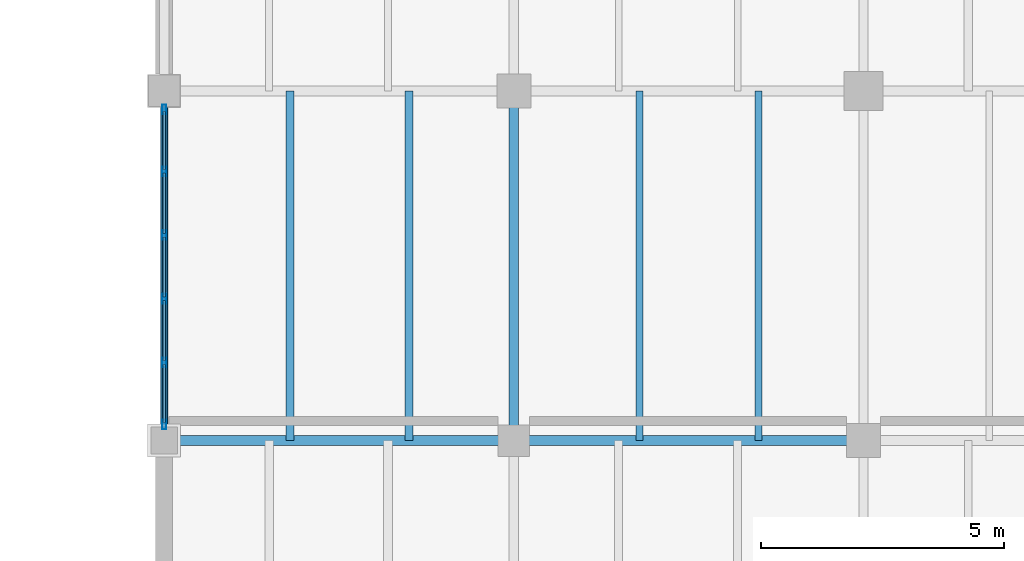
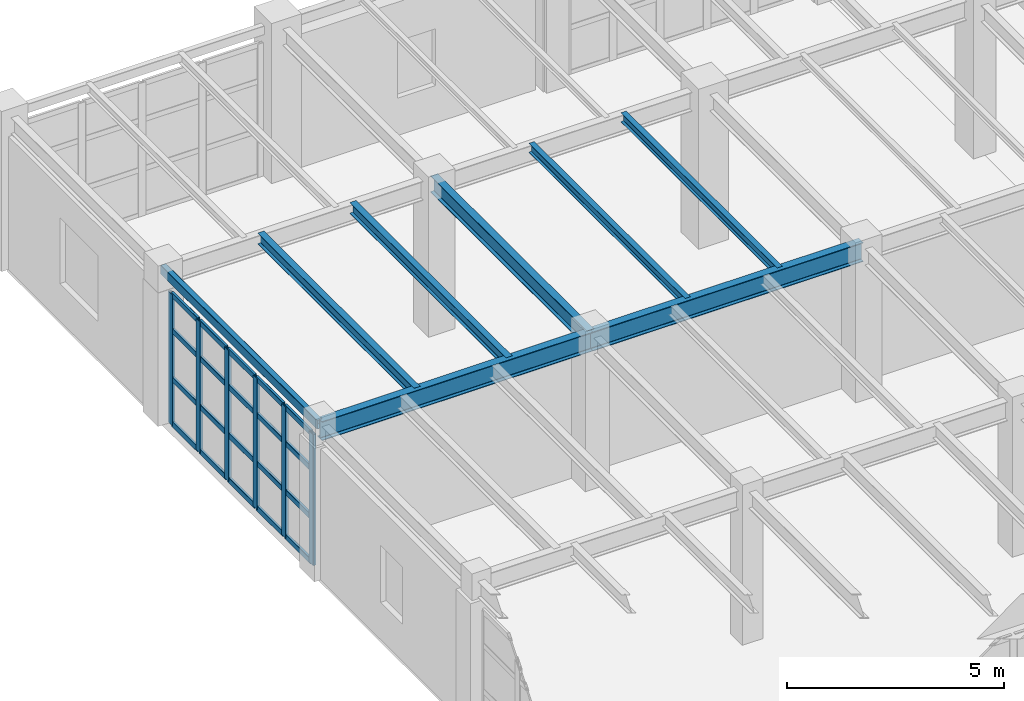
# One storey, part 66 of 137: 26 members, 8 beams, 1 element without a shape of its own.
"""IFC4 building model written with IfcOpenShell, lengths in metres."""

from ifc_helpers import new_model, si_unit, direction, frame, origin, origin_2d, place, context, subcontext, project, spatial, hollow_rectangle, i_section, extrude, material, layer, layer_set, material_profile, profile_set, type_object, element, aggregate, save


model = new_model("IFC4")

# Units and contexts
model_context = context("Model", 3, precision=1e-05, world=origin(), true_north=direction((0.0, 1.0)))
body_context = subcontext(model_context, "Body", "Model", "MODEL_VIEW")
ifc_project = project(units=[si_unit("LENGTHUNIT", "METRE"), si_unit("AREAUNIT", "SQUARE_METRE"), si_unit("VOLUMEUNIT", "CUBIC_METRE"), si_unit("PLANEANGLEUNIT", "RADIAN"), si_unit("MASSUNIT", "GRAM", prefix="KILO")], contexts=[model_context])

# Site, building, storey
site_placement = place(None, origin())
site = spatial("IfcSite", under=ifc_project, at=site_placement, CompositionType="ELEMENT")
building_placement = place(site_placement, origin())
building = spatial("IfcBuilding", under=site, at=building_placement, Name="Kemerveld Promenade Tramway Depot", CompositionType="ELEMENT")
storey_placement = place(building_placement, frame((0.0, 0.0, 5.39990234375)))
storey = spatial("IfcBuildingStorey", under=building, at=storey_placement, Name="L01", CompositionType="ELEMENT", Elevation=5.39990234375)

# Beams
ifc_material_1 = material(Name="Steel S355", Category="steel")
ifc_material_profile_1 = material_profile(ifc_material_1, i_section(OverallWidth=0.2099609375, OverallDepth=0.53662109375, WebThickness=0.0107421875, FlangeThickness=0.017333984375, FilletRadius=0.0126953125, at=origin_2d()), Name="533x210x101 UB")
ifc_profile_set_1 = profile_set([ifc_material_profile_1], Name="Steel S355")
beam_type_1 = type_object("IfcBeamType", Name="BM-G05", PredefinedType="BEAM", material=ifc_profile_set_1)
beam_1_placement = place(storey_placement, frame((115.199951171875, 64.800048828125, 3.9716796875), z_axis=(1.0, 0.0, 0.0), x_axis=(0.0, 1.0, 0.0)))
element("IfcBeam", 1, at=beam_1_placement, inside=storey, type_object=beam_type_1, Name="BMX-L01-17-18-K", PredefinedType="BEAM", context=body_context, shape_type="SweptSolid", body=[
    extrude(i_section(OverallWidth=0.2099609375, OverallDepth=0.53662109375, WebThickness=0.0107421875, FlangeThickness=0.017333984375, FilletRadius=0.0126953125, at=origin_2d()), origin(), (0.0, 0.0, 1.0), 7.199951171875),
])
beam_2_placement = place(storey_placement, frame((122.39990234375, 64.800048828125, 3.9716796875), z_axis=(1.0, 0.0, 0.0), x_axis=(0.0, 1.0, 0.0)))
element("IfcBeam", 2, at=beam_2_placement, inside=storey, type_object=beam_type_1, Name="BMX-L01-18-19-K", PredefinedType="BEAM", context=body_context, shape_type="SweptSolid", body=[
    extrude(i_section(OverallWidth=0.2099609375, OverallDepth=0.53662109375, WebThickness=0.0107421875, FlangeThickness=0.017333984375, FilletRadius=0.0126953125, at=origin_2d()), origin(), (0.0, 0.0, 1.0), 7.2001953125),
])
ifc_material_profile_2 = material_profile(ifc_material_1, i_section(OverallWidth=0.19140625, OverallDepth=0.4599609375, WebThickness=0.010009765625, FlangeThickness=0.01611328125, FilletRadius=0.01025390625, at=origin_2d()), Name="457x191x82 UB")
ifc_profile_set_2 = profile_set([ifc_material_profile_2], Name="Steel S355")
beam_type_2 = type_object("IfcBeamType", Name="BM-G06", PredefinedType="BEAM", material=ifc_profile_set_2)
beam_3_placement = place(storey_placement, frame((122.39990234375, 64.800048828125, 4.010009765625), z_axis=(0.0, 1.0, 0.0), x_axis=(-1.0, 0.0, 0.0)))
element("IfcBeam", 3, at=beam_3_placement, inside=storey, type_object=beam_type_2, Name="BMY-L01-18-K-L", PredefinedType="BEAM", context=body_context, shape_type="SweptSolid", body=[
    extrude(i_section(OverallWidth=0.19140625, OverallDepth=0.4599609375, WebThickness=0.010009765625, FlangeThickness=0.01611328125, FilletRadius=0.01025390625, at=origin_2d()), origin(), (0.0, 0.0, 1.0), 7.199951171875),
])
ifc_material_profile_3 = material_profile(ifc_material_1, i_section(OverallWidth=0.165771484375, OverallDepth=0.306640625, WebThickness=0.006591796875, FlangeThickness=0.01171875, FilletRadius=0.0087890625, at=origin_2d()), Name="305x165x46 UB")
ifc_profile_set_3 = profile_set([ifc_material_profile_3], Name="Steel S355")
beam_type_3 = type_object("IfcBeamType", Name="BM-J01", PredefinedType="JOIST", material=ifc_profile_set_3)
for number, where, z_axis, x_axis, name in (
    (4, (117.7919921875, 64.800048828125, 4.0869140625), (0.0, 1.0, 0.0), (-1.0, 0.0, 0.0), "JST-L01-17-K-1"),
    (5, (120.239990234375, 64.800048828125, 4.0869140625), (0.0, 1.0, 0.0), (-1.0, 0.0, 0.0), "JST-L01-17-K-2"),
):
    element("IfcBeam", number, at=place(storey_placement, frame(where, z_axis=z_axis, x_axis=x_axis)), inside=storey, type_object=beam_type_3, Name=name, PredefinedType="JOIST", context=body_context, shape_type="SweptSolid", body=[
        extrude(i_section(OverallWidth=0.165771484375, OverallDepth=0.306640625, WebThickness=0.006591796875, FlangeThickness=0.01171875, FilletRadius=0.0087890625, at=origin_2d()), origin(), (0.0, 0.0, 1.0), 7.199951171875),
    ])
ifc_material_profile_4 = material_profile(ifc_material_1, i_section(OverallWidth=0.146484375, OverallDepth=0.256103515625, WebThickness=0.00634765625, FlangeThickness=0.010986328125, FilletRadius=0.007568359375, at=origin_2d()), Name="254x146x37 UB")
ifc_profile_set_4 = profile_set([ifc_material_profile_4], Name="Steel S355")
beam_type_4 = type_object("IfcBeamType", Name="BM-J02", PredefinedType="JOIST", material=ifc_profile_set_4)
for number, where, z_axis, x_axis, name in (
    (6, (124.991943359375, 64.800048828125, 4.112060546875), (0.0, 1.0, 0.0), (-1.0, 0.0, 0.0), "JST-L01-18-K-1"),
    (7, (127.43994140625, 64.800048828125, 4.112060546875), (0.0, 1.0, 0.0), (-1.0, 0.0, 0.0), "JST-L01-18-K-2"),
):
    element("IfcBeam", number, at=place(storey_placement, frame(where, z_axis=z_axis, x_axis=x_axis)), inside=storey, type_object=beam_type_4, Name=name, PredefinedType="JOIST", context=body_context, shape_type="SweptSolid", body=[
        extrude(i_section(OverallWidth=0.146484375, OverallDepth=0.256103515625, WebThickness=0.00634765625, FlangeThickness=0.010986328125, FilletRadius=0.007568359375, at=origin_2d()), origin(), (0.0, 0.0, 1.0), 7.199951171875),
    ])
ifc_material_profile_5 = material_profile(ifc_material_1, hollow_rectangle(XDim=0.14990234375, YDim=0.25, WallThickness=0.010009765625, InnerFilletRadius=0.0048828125, OuterFilletRadius=0.014892578125, at=origin_2d()), Name="250x150x10.0 RHS")
ifc_profile_set_5 = profile_set([ifc_material_profile_5], Name="Steel S355")
beam_type_5 = type_object("IfcBeamType", Name="BM-SP2", PredefinedType="SPANDREL", material=ifc_profile_set_5)
beam_4_placement = place(storey_placement, frame((115.199951171875, 64.800048828125, 4.114990234375), z_axis=(0.0, 1.0, 0.0), x_axis=(-1.0, 0.0, 0.0)))
element("IfcBeam", 8, at=beam_4_placement, inside=storey, type_object=beam_type_5, Name="BMY-L01-17-K-L", PredefinedType="SPANDREL", context=body_context, shape_type="SweptSolid", body=[
    extrude(hollow_rectangle(XDim=0.14990234375, YDim=0.25, WallThickness=0.010009765625, InnerFilletRadius=0.0048828125, OuterFilletRadius=0.014892578125, at=origin_2d()), origin(), (0.0, 0.0, 1.0), 7.199951171875),
])

# Curtain wall, members
ifc_material_2 = material(Name="Bronze anodised aluminium and solar glass", Category="aluminium")
ifc_layer = layer(ifc_material_2, 0.199951171875)
ifc_layer_set = layer_set([ifc_layer], Name="CW-SYS-06")
curtain_wall_type = type_object("IfcCurtainWallType", Name="CW-SYS-06", PredefinedType="USERDEFINED", material=ifc_layer_set)
curtain_wall_placement = place(storey_placement, origin())
curtain_wall = element("IfcCurtainWall", 9, at=curtain_wall_placement, inside=storey, type_object=curtain_wall_type, Name="CW-L01-V3W-03", ObjectType="GLAZED_CURTAIN_WALL", PredefinedType="USERDEFINED")
ifc_material_3 = material(Name="Bronze anodised aluminium", Category="aluminium")
ifc_material_profile_6 = material_profile(ifc_material_3, hollow_rectangle(XDim=0.074951171875, YDim=0.199951171875, WallThickness=0.0048828125, InnerFilletRadius=0.001953125, OuterFilletRadius=0.0048828125, at=origin_2d()), Name="CW-MUL-200x75")
ifc_profile_set_6 = profile_set([ifc_material_profile_6], Name="Bronze anodised aluminium")
member_type_1 = type_object("IfcMemberType", Name="CW-MUL-B", PredefinedType="MULLION", material=ifc_profile_set_6)
member_1_placement = place(storey_placement, frame((115.199951171875, 65.132568359375, 0.0), z_axis=(0.0, 0.0, 1.0), x_axis=(-1.0, 0.0, 0.0)))
member_1 = element("IfcMember", 10, at=member_1_placement, type_object=member_type_1, Name="CW06 mullion 1", PredefinedType="MULLION", context=body_context, shape_type="SweptSolid", body=[
    extrude(hollow_rectangle(XDim=0.074951171875, YDim=0.199951171875, WallThickness=0.0048828125, InnerFilletRadius=0.001953125, OuterFilletRadius=0.0048828125, at=origin_2d()), origin(), (0.0, 0.0, 1.0), 3.68359375),
])
member_2_placement = place(storey_placement, frame((115.199951171875, 66.406982421875, 0.0), z_axis=(0.0, 0.0, 1.0), x_axis=(-1.0, 0.0, 0.0)))
member_2 = element("IfcMember", 11, at=member_2_placement, type_object=member_type_1, Name="CW06 mullion 2", PredefinedType="MULLION", context=body_context, shape_type="SweptSolid", body=[
    extrude(hollow_rectangle(XDim=0.074951171875, YDim=0.199951171875, WallThickness=0.0048828125, InnerFilletRadius=0.001953125, OuterFilletRadius=0.0048828125, at=origin_2d()), origin(), (0.0, 0.0, 1.0), 3.68359375),
])
member_3_placement = place(storey_placement, frame((115.199951171875, 67.718994140625, 0.0), z_axis=(0.0, 0.0, 1.0), x_axis=(-1.0, 0.0, 0.0)))
member_3 = element("IfcMember", 12, at=member_3_placement, type_object=member_type_1, Name="CW06 mullion 3", PredefinedType="MULLION", context=body_context, shape_type="SweptSolid", body=[
    extrude(hollow_rectangle(XDim=0.074951171875, YDim=0.199951171875, WallThickness=0.0048828125, InnerFilletRadius=0.001953125, OuterFilletRadius=0.0048828125, at=origin_2d()), origin(), (0.0, 0.0, 1.0), 3.68359375),
])
member_4_placement = place(storey_placement, frame((115.199951171875, 69.031005859375, 0.0), z_axis=(0.0, 0.0, 1.0), x_axis=(-1.0, 0.0, 0.0)))
member_4 = element("IfcMember", 13, at=member_4_placement, type_object=member_type_1, Name="CW06 mullion 4", PredefinedType="MULLION", context=body_context, shape_type="SweptSolid", body=[
    extrude(hollow_rectangle(XDim=0.074951171875, YDim=0.199951171875, WallThickness=0.0048828125, InnerFilletRadius=0.001953125, OuterFilletRadius=0.0048828125, at=origin_2d()), origin(), (0.0, 0.0, 1.0), 3.68359375),
])
member_5_placement = place(storey_placement, frame((115.199951171875, 70.343017578125, 0.0), z_axis=(0.0, 0.0, 1.0), x_axis=(-1.0, 0.0, 0.0)))
member_5 = element("IfcMember", 14, at=member_5_placement, type_object=member_type_1, Name="CW06 mullion 5", PredefinedType="MULLION", context=body_context, shape_type="SweptSolid", body=[
    extrude(hollow_rectangle(XDim=0.074951171875, YDim=0.199951171875, WallThickness=0.0048828125, InnerFilletRadius=0.001953125, OuterFilletRadius=0.0048828125, at=origin_2d()), origin(), (0.0, 0.0, 1.0), 3.68359375),
])
member_6_placement = place(storey_placement, frame((115.199951171875, 71.617431640625, 0.0), z_axis=(0.0, 0.0, 1.0), x_axis=(-1.0, 0.0, 0.0)))
member_6 = element("IfcMember", 15, at=member_6_placement, type_object=member_type_1, Name="CW06 mullion 6", PredefinedType="MULLION", context=body_context, shape_type="SweptSolid", body=[
    extrude(hollow_rectangle(XDim=0.074951171875, YDim=0.199951171875, WallThickness=0.0048828125, InnerFilletRadius=0.001953125, OuterFilletRadius=0.0048828125, at=origin_2d()), origin(), (0.0, 0.0, 1.0), 3.68359375),
])
ifc_material_profile_7 = material_profile(ifc_material_3, hollow_rectangle(XDim=0.06494140625, YDim=0.14990234375, WallThickness=0.00439453125, InnerFilletRadius=0.001953125, OuterFilletRadius=0.00439453125, at=origin_2d()), Name="CW-TRN-150x65")
ifc_profile_set_7 = profile_set([ifc_material_profile_7], Name="Bronze anodised aluminium")
member_type_2 = type_object("IfcMemberType", Name="CW-TRN-B", PredefinedType="USERDEFINED", material=ifc_profile_set_7)
member_7_placement = place(storey_placement, frame((115.199951171875, 65.169921875, 0.03271484375), z_axis=(0.0, 1.0, 0.0), x_axis=(-1.0, 0.0, 0.0)))
member_7 = element("IfcMember", 16, at=member_7_placement, type_object=member_type_2, Name="CW06 transom 1.1", ObjectType="TRANSOM", PredefinedType="USERDEFINED", context=body_context, shape_type="SweptSolid", body=[
    extrude(hollow_rectangle(XDim=0.06494140625, YDim=0.14990234375, WallThickness=0.00439453125, InnerFilletRadius=0.001953125, OuterFilletRadius=0.00439453125, at=origin_2d()), origin(), (0.0, 0.0, 1.0), 1.199462890625),
])
member_8_placement = place(storey_placement, frame((115.199951171875, 65.169921875, 1.2890625), z_axis=(0.0, 1.0, 0.0), x_axis=(-1.0, 0.0, 0.0)))
member_8 = element("IfcMember", 17, at=member_8_placement, type_object=member_type_2, Name="CW06 transom 1.2", ObjectType="TRANSOM", PredefinedType="USERDEFINED", context=body_context, shape_type="SweptSolid", body=[
    extrude(hollow_rectangle(XDim=0.06494140625, YDim=0.14990234375, WallThickness=0.00439453125, InnerFilletRadius=0.001953125, OuterFilletRadius=0.00439453125, at=origin_2d()), origin(), (0.0, 0.0, 1.0), 1.199462890625),
])
member_9_placement = place(storey_placement, frame((115.199951171875, 65.169921875, 2.652099609375), z_axis=(0.0, 1.0, 0.0), x_axis=(-1.0, 0.0, 0.0)))
member_9 = element("IfcMember", 18, at=member_9_placement, type_object=member_type_2, Name="CW06 transom 1.3", ObjectType="TRANSOM", PredefinedType="USERDEFINED", context=body_context, shape_type="SweptSolid", body=[
    extrude(hollow_rectangle(XDim=0.06494140625, YDim=0.14990234375, WallThickness=0.00439453125, InnerFilletRadius=0.001953125, OuterFilletRadius=0.00439453125, at=origin_2d()), origin(), (0.0, 0.0, 1.0), 1.199462890625),
])
member_10_placement = place(storey_placement, frame((115.199951171875, 65.169921875, 3.65087890625), z_axis=(0.0, 1.0, 0.0), x_axis=(-1.0, 0.0, 0.0)))
member_10 = element("IfcMember", 19, at=member_10_placement, type_object=member_type_2, Name="CW06 transom 1.4", ObjectType="TRANSOM", PredefinedType="USERDEFINED", context=body_context, shape_type="SweptSolid", body=[
    extrude(hollow_rectangle(XDim=0.06494140625, YDim=0.14990234375, WallThickness=0.00439453125, InnerFilletRadius=0.001953125, OuterFilletRadius=0.00439453125, at=origin_2d()), origin(), (0.0, 0.0, 1.0), 1.199462890625),
])
member_11_placement = place(storey_placement, frame((115.199951171875, 66.444580078125, 0.03271484375), z_axis=(0.0, 1.0, 0.0), x_axis=(-1.0, 0.0, 0.0)))
member_11 = element("IfcMember", 20, at=member_11_placement, type_object=member_type_2, Name="CW06 transom 2.1", ObjectType="TRANSOM", PredefinedType="USERDEFINED", context=body_context, shape_type="SweptSolid", body=[
    extrude(hollow_rectangle(XDim=0.06494140625, YDim=0.14990234375, WallThickness=0.00439453125, InnerFilletRadius=0.001953125, OuterFilletRadius=0.00439453125, at=origin_2d()), origin(), (0.0, 0.0, 1.0), 1.23681640625),
])
member_12_placement = place(storey_placement, frame((115.199951171875, 66.444580078125, 1.2890625), z_axis=(0.0, 1.0, 0.0), x_axis=(-1.0, 0.0, 0.0)))
member_12 = element("IfcMember", 21, at=member_12_placement, type_object=member_type_2, Name="CW06 transom 2.2", ObjectType="TRANSOM", PredefinedType="USERDEFINED", context=body_context, shape_type="SweptSolid", body=[
    extrude(hollow_rectangle(XDim=0.06494140625, YDim=0.14990234375, WallThickness=0.00439453125, InnerFilletRadius=0.001953125, OuterFilletRadius=0.00439453125, at=origin_2d()), origin(), (0.0, 0.0, 1.0), 1.23681640625),
])
member_13_placement = place(storey_placement, frame((115.199951171875, 66.444580078125, 2.652099609375), z_axis=(0.0, 1.0, 0.0), x_axis=(-1.0, 0.0, 0.0)))
member_13 = element("IfcMember", 22, at=member_13_placement, type_object=member_type_2, Name="CW06 transom 2.3", ObjectType="TRANSOM", PredefinedType="USERDEFINED", context=body_context, shape_type="SweptSolid", body=[
    extrude(hollow_rectangle(XDim=0.06494140625, YDim=0.14990234375, WallThickness=0.00439453125, InnerFilletRadius=0.001953125, OuterFilletRadius=0.00439453125, at=origin_2d()), origin(), (0.0, 0.0, 1.0), 1.23681640625),
])
member_14_placement = place(storey_placement, frame((115.199951171875, 66.444580078125, 3.65087890625), z_axis=(0.0, 1.0, 0.0), x_axis=(-1.0, 0.0, 0.0)))
member_14 = element("IfcMember", 23, at=member_14_placement, type_object=member_type_2, Name="CW06 transom 2.4", ObjectType="TRANSOM", PredefinedType="USERDEFINED", context=body_context, shape_type="SweptSolid", body=[
    extrude(hollow_rectangle(XDim=0.06494140625, YDim=0.14990234375, WallThickness=0.00439453125, InnerFilletRadius=0.001953125, OuterFilletRadius=0.00439453125, at=origin_2d()), origin(), (0.0, 0.0, 1.0), 1.23681640625),
])
member_15_placement = place(storey_placement, frame((115.199951171875, 67.756591796875, 0.03271484375), z_axis=(0.0, 1.0, 0.0), x_axis=(-1.0, 0.0, 0.0)))
member_15 = element("IfcMember", 24, at=member_15_placement, type_object=member_type_2, Name="CW06 transom 3.1", ObjectType="TRANSOM", PredefinedType="USERDEFINED", context=body_context, shape_type="SweptSolid", body=[
    extrude(hollow_rectangle(XDim=0.06494140625, YDim=0.14990234375, WallThickness=0.00439453125, InnerFilletRadius=0.001953125, OuterFilletRadius=0.00439453125, at=origin_2d()), origin(), (0.0, 0.0, 1.0), 1.23681640625),
])
member_16_placement = place(storey_placement, frame((115.199951171875, 67.756591796875, 1.2890625), z_axis=(0.0, 1.0, 0.0), x_axis=(-1.0, 0.0, 0.0)))
member_16 = element("IfcMember", 25, at=member_16_placement, type_object=member_type_2, Name="CW06 transom 3.2", ObjectType="TRANSOM", PredefinedType="USERDEFINED", context=body_context, shape_type="SweptSolid", body=[
    extrude(hollow_rectangle(XDim=0.06494140625, YDim=0.14990234375, WallThickness=0.00439453125, InnerFilletRadius=0.001953125, OuterFilletRadius=0.00439453125, at=origin_2d()), origin(), (0.0, 0.0, 1.0), 1.23681640625),
])
member_17_placement = place(storey_placement, frame((115.199951171875, 67.756591796875, 2.652099609375), z_axis=(0.0, 1.0, 0.0), x_axis=(-1.0, 0.0, 0.0)))
member_17 = element("IfcMember", 26, at=member_17_placement, type_object=member_type_2, Name="CW06 transom 3.3", ObjectType="TRANSOM", PredefinedType="USERDEFINED", context=body_context, shape_type="SweptSolid", body=[
    extrude(hollow_rectangle(XDim=0.06494140625, YDim=0.14990234375, WallThickness=0.00439453125, InnerFilletRadius=0.001953125, OuterFilletRadius=0.00439453125, at=origin_2d()), origin(), (0.0, 0.0, 1.0), 1.23681640625),
])
member_18_placement = place(storey_placement, frame((115.199951171875, 67.756591796875, 3.65087890625), z_axis=(0.0, 1.0, 0.0), x_axis=(-1.0, 0.0, 0.0)))
member_18 = element("IfcMember", 27, at=member_18_placement, type_object=member_type_2, Name="CW06 transom 3.4", ObjectType="TRANSOM", PredefinedType="USERDEFINED", context=body_context, shape_type="SweptSolid", body=[
    extrude(hollow_rectangle(XDim=0.06494140625, YDim=0.14990234375, WallThickness=0.00439453125, InnerFilletRadius=0.001953125, OuterFilletRadius=0.00439453125, at=origin_2d()), origin(), (0.0, 0.0, 1.0), 1.23681640625),
])
member_19_placement = place(storey_placement, frame((115.199951171875, 69.068603515625, 0.03271484375), z_axis=(0.0, 1.0, 0.0), x_axis=(-1.0, 0.0, 0.0)))
member_19 = element("IfcMember", 28, at=member_19_placement, type_object=member_type_2, Name="CW06 transom 4.1", ObjectType="TRANSOM", PredefinedType="USERDEFINED", context=body_context, shape_type="SweptSolid", body=[
    extrude(hollow_rectangle(XDim=0.06494140625, YDim=0.14990234375, WallThickness=0.00439453125, InnerFilletRadius=0.001953125, OuterFilletRadius=0.00439453125, at=origin_2d()), origin(), (0.0, 0.0, 1.0), 1.23681640625),
])
member_20_placement = place(storey_placement, frame((115.199951171875, 69.068603515625, 1.2890625), z_axis=(0.0, 1.0, 0.0), x_axis=(-1.0, 0.0, 0.0)))
member_20 = element("IfcMember", 29, at=member_20_placement, type_object=member_type_2, Name="CW06 transom 4.2", ObjectType="TRANSOM", PredefinedType="USERDEFINED", context=body_context, shape_type="SweptSolid", body=[
    extrude(hollow_rectangle(XDim=0.06494140625, YDim=0.14990234375, WallThickness=0.00439453125, InnerFilletRadius=0.001953125, OuterFilletRadius=0.00439453125, at=origin_2d()), origin(), (0.0, 0.0, 1.0), 1.23681640625),
])
member_21_placement = place(storey_placement, frame((115.199951171875, 69.068603515625, 2.652099609375), z_axis=(0.0, 1.0, 0.0), x_axis=(-1.0, 0.0, 0.0)))
member_21 = element("IfcMember", 30, at=member_21_placement, type_object=member_type_2, Name="CW06 transom 4.3", ObjectType="TRANSOM", PredefinedType="USERDEFINED", context=body_context, shape_type="SweptSolid", body=[
    extrude(hollow_rectangle(XDim=0.06494140625, YDim=0.14990234375, WallThickness=0.00439453125, InnerFilletRadius=0.001953125, OuterFilletRadius=0.00439453125, at=origin_2d()), origin(), (0.0, 0.0, 1.0), 1.23681640625),
])
member_22_placement = place(storey_placement, frame((115.199951171875, 69.068603515625, 3.65087890625), z_axis=(0.0, 1.0, 0.0), x_axis=(-1.0, 0.0, 0.0)))
member_22 = element("IfcMember", 31, at=member_22_placement, type_object=member_type_2, Name="CW06 transom 4.4", ObjectType="TRANSOM", PredefinedType="USERDEFINED", context=body_context, shape_type="SweptSolid", body=[
    extrude(hollow_rectangle(XDim=0.06494140625, YDim=0.14990234375, WallThickness=0.00439453125, InnerFilletRadius=0.001953125, OuterFilletRadius=0.00439453125, at=origin_2d()), origin(), (0.0, 0.0, 1.0), 1.23681640625),
])
member_23_placement = place(storey_placement, frame((115.199951171875, 70.380615234375, 0.03271484375), z_axis=(0.0, 1.0, 0.0), x_axis=(-1.0, 0.0, 0.0)))
member_23 = element("IfcMember", 32, at=member_23_placement, type_object=member_type_2, Name="CW06 transom 5.1", ObjectType="TRANSOM", PredefinedType="USERDEFINED", context=body_context, shape_type="SweptSolid", body=[
    extrude(hollow_rectangle(XDim=0.06494140625, YDim=0.14990234375, WallThickness=0.00439453125, InnerFilletRadius=0.001953125, OuterFilletRadius=0.00439453125, at=origin_2d()), origin(), (0.0, 0.0, 1.0), 1.199462890625),
])
member_24_placement = place(storey_placement, frame((115.199951171875, 70.380615234375, 1.2890625), z_axis=(0.0, 1.0, 0.0), x_axis=(-1.0, 0.0, 0.0)))
member_24 = element("IfcMember", 33, at=member_24_placement, type_object=member_type_2, Name="CW06 transom 5.2", ObjectType="TRANSOM", PredefinedType="USERDEFINED", context=body_context, shape_type="SweptSolid", body=[
    extrude(hollow_rectangle(XDim=0.06494140625, YDim=0.14990234375, WallThickness=0.00439453125, InnerFilletRadius=0.001953125, OuterFilletRadius=0.00439453125, at=origin_2d()), origin(), (0.0, 0.0, 1.0), 1.199462890625),
])
member_25_placement = place(storey_placement, frame((115.199951171875, 70.380615234375, 2.652099609375), z_axis=(0.0, 1.0, 0.0), x_axis=(-1.0, 0.0, 0.0)))
member_25 = element("IfcMember", 34, at=member_25_placement, type_object=member_type_2, Name="CW06 transom 5.3", ObjectType="TRANSOM", PredefinedType="USERDEFINED", context=body_context, shape_type="SweptSolid", body=[
    extrude(hollow_rectangle(XDim=0.06494140625, YDim=0.14990234375, WallThickness=0.00439453125, InnerFilletRadius=0.001953125, OuterFilletRadius=0.00439453125, at=origin_2d()), origin(), (0.0, 0.0, 1.0), 1.199462890625),
])
member_26_placement = place(storey_placement, frame((115.199951171875, 70.380615234375, 3.65087890625), z_axis=(0.0, 1.0, 0.0), x_axis=(-1.0, 0.0, 0.0)))
member_26 = element("IfcMember", 35, at=member_26_placement, type_object=member_type_2, Name="CW06 transom 5.4", ObjectType="TRANSOM", PredefinedType="USERDEFINED", context=body_context, shape_type="SweptSolid", body=[
    extrude(hollow_rectangle(XDim=0.06494140625, YDim=0.14990234375, WallThickness=0.00439453125, InnerFilletRadius=0.001953125, OuterFilletRadius=0.00439453125, at=origin_2d()), origin(), (0.0, 0.0, 1.0), 1.199462890625),
])
aggregate(curtain_wall, [member_1, member_2, member_3, member_4, member_5, member_6, member_7, member_8, member_9, member_10, member_11, member_12, member_13, member_14, member_15, member_16, member_17, member_18, member_19, member_20, member_21, member_22, member_23, member_24, member_25, member_26])

save(model, "model.ifc")
